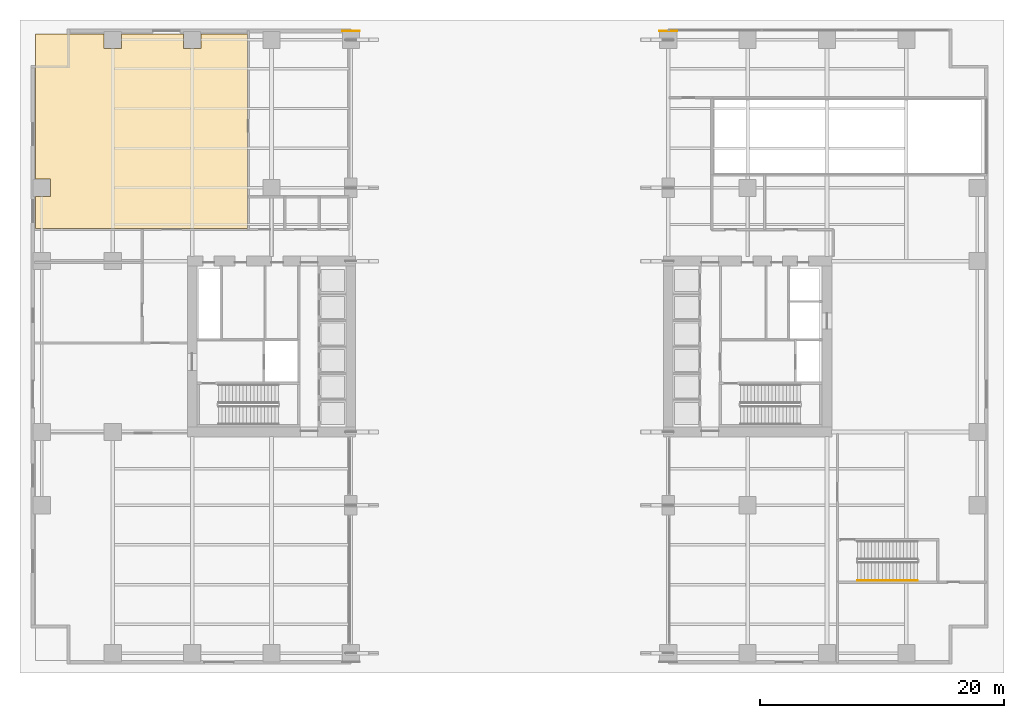
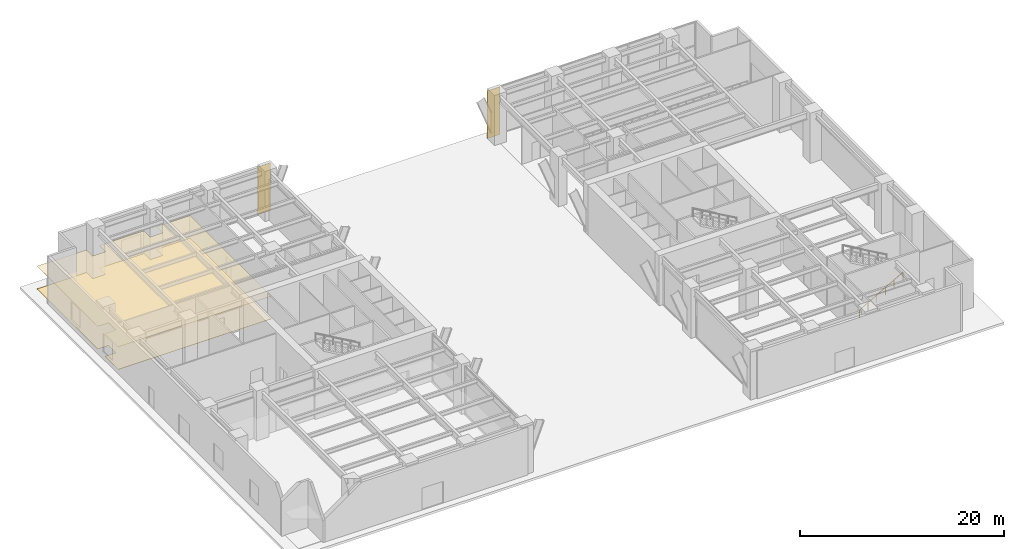
# One storey, part 18 of 20: 4 coverings, 1 railing.
"""IFC4 building model written with IfcOpenShell, lengths in metres."""

from ifc_helpers import new_model, si_unit, direction, frame, origin, origin_2d, place, context, subcontext, project, spatial, polyline, rectangle, circle, outline, extrude, material, layer, layer_set, type_object, element, save


model = new_model("IFC4")

# Units and contexts
model_context = context("Model", 3, precision=1e-05, world=origin(), true_north=direction((0.0, 1.0)))
body_context = subcontext(model_context, "Body", "Model", "MODEL_VIEW")
ifc_project = project(units=[si_unit("LENGTHUNIT", "METRE"), si_unit("AREAUNIT", "SQUARE_METRE"), si_unit("VOLUMEUNIT", "CUBIC_METRE"), si_unit("PLANEANGLEUNIT", "RADIAN"), si_unit("MASSUNIT", "GRAM", prefix="KILO")], contexts=[model_context])

# Site, building, storey
site_placement = place(None, origin())
site = spatial("IfcSite", under=ifc_project, at=site_placement, CompositionType="ELEMENT")
building_placement = place(site_placement, origin())
building = spatial("IfcBuilding", under=site, at=building_placement, Name="Putna Gate Headquarters", CompositionType="ELEMENT")
storey_placement = place(building_placement, origin())
storey = spatial("IfcBuildingStorey", under=building, at=storey_placement, Name="L00", CompositionType="ELEMENT", Elevation=0.0)

# Coverings
ifc_material_1 = material(Name="Perforated mineral-fibre acoustic ceiling tile")
ifc_layer_1 = layer(ifc_material_1, 0.0400390625)
ifc_layer_set_1 = layer_set([ifc_layer_1], Name="Perforated mineral-fibre acoustic ceiling tile")
covering_type_1 = type_object("IfcCoveringType", Name="COV-ACOUSTIC-CEILING", PredefinedType="CEILING", material=ifc_layer_set_1)
covering_1_placement = place(storey_placement, frame((0.0, 0.0, 2.7099609375)))
element("IfcCovering", 1, at=covering_1_placement, inside=storey, type_object=covering_type_1, Name="L00 Acoustic Ceiling Covering 2", PredefinedType="CEILING", context=body_context, shape_type="SweptSolid", body=[
    extrude(outline(polyline([(0.179931640625, 39.7080078125), (1.387939453125, 39.7080078125), (1.387939453125, 38.2919921875), (0.179931640625, 38.2919921875), (0.179931640625, 35.679931640625), (17.52001953125, 35.679931640625), (17.52001953125, 51.6201171875), (13.7080078125, 51.6201171875), (13.7080078125, 50.412109375), (12.2919921875, 50.412109375), (12.2919921875, 51.6201171875), (7.2080078125, 51.6201171875), (7.2080078125, 50.412109375), (5.7919921875, 50.412109375), (5.7919921875, 51.6201171875), (0.179931640625, 51.6201171875), (0.179931640625, 39.7080078125)])), origin(), (0.0, 0.0, 1.0), 0.0400390625),
])
ifc_material_2 = material(Name="Anodised architectural bronze rainscreen cladding", Category="aluminium")
ifc_layer_2 = layer(ifc_material_2, 0.0400390625)
ifc_layer_set_2 = layer_set([ifc_layer_2], Name="Anodised architectural bronze rainscreen cladding")
covering_type_2 = type_object("IfcCoveringType", Name="COV-BRONZE-CLADDING", PredefinedType="CLADDING", material=ifc_layer_set_2)
for number, where, z_axis, x_axis, name in (
    (2, (26.0, 51.8349609375, 0.0), (0.0, 0.0, 1.0), (1.0, 0.0, 0.0), "L00 Giant Arch Pier Bronze Cladding WN"),
    (3, (52.0, 51.8349609375, 0.0), (0.0, 0.0, 1.0), (1.0, 0.0, 0.0), "L00 Giant Arch Pier Bronze Cladding EN"),
):
    element("IfcCovering", number, at=place(storey_placement, frame(where, z_axis=z_axis, x_axis=x_axis)), inside=storey, type_object=covering_type_2, Name=name, PredefinedType="CLADDING", context=body_context, shape_type="SweptSolid", body=[
        extrude(rectangle(XDim=1.43994140625, YDim=0.0400390625, at=origin_2d()), origin(), (0.0, 0.0, 1.0), 5.719970703125),
    ])
ifc_material_3 = material(Name="Calcium-sulphate raised access floor finish")
ifc_layer_3 = layer(ifc_material_3, 0.030029296875)
ifc_layer_set_3 = layer_set([ifc_layer_3], Name="Calcium-sulphate raised access floor finish")
covering_type_3 = type_object("IfcCoveringType", Name="COV-RAISED-FLOORING", PredefinedType="FLOORING", material=ifc_layer_set_3)
covering_2_placement = place(storey_placement, origin())
element("IfcCovering", 4, at=covering_2_placement, inside=storey, type_object=covering_type_3, Name="L00 Raised Access Floor Covering 2", PredefinedType="FLOORING", context=body_context, shape_type="SweptSolid", body=[
    extrude(outline(polyline([(0.179931640625, 39.7080078125), (1.387939453125, 39.7080078125), (1.387939453125, 38.2919921875), (0.179931640625, 38.2919921875), (0.179931640625, 35.679931640625), (17.52001953125, 35.679931640625), (17.52001953125, 51.6201171875), (13.7080078125, 51.6201171875), (13.7080078125, 50.412109375), (12.2919921875, 50.412109375), (12.2919921875, 51.6201171875), (7.2080078125, 51.6201171875), (7.2080078125, 50.412109375), (5.7919921875, 50.412109375), (5.7919921875, 51.6201171875), (0.179931640625, 51.6201171875), (0.179931640625, 39.7080078125)])), origin(), (0.0, 0.0, 1.0), 0.030029296875),
])

# Railing
ifc_material_4 = material(Name="Brushed stainless steel handrail", Category="steel")
railing_type = type_object("IfcRailingType", Name="RAIL-STAIR-HAND-900", PredefinedType="HANDRAIL", material=ifc_material_4)
railing_placement = place(storey_placement, frame((67.5, 6.85009765625, 0.166748046875)))
element("IfcRailing", 5, at=railing_placement, inside=storey, type_object=railing_type, Name="L00 ST3 stair handrail 1", PredefinedType="HANDRAIL", context=body_context, shape_type="SweptSolid", body=[
    extrude(circle(Radius=0.02392578125, at=origin_2d()), frame((0.0, 0.0, 0.8759765625), z_axis=(0.867017142139, 0.0, 0.498278311025), x_axis=(0.0, 1.0, 0.0)), (0.0, 0.0, 1.0), 5.68603515625),
    extrude(circle(Radius=0.02099609375, at=origin_2d()), origin(), (0.0, 0.0, 1.0), 0.851806640625),
    extrude(circle(Radius=0.02099609375, at=origin_2d()), frame((0.986083984375, 0.0, 0.566650390625)), (0.0, 0.0, 1.0), 0.851806640625),
    extrude(circle(Radius=0.02099609375, at=origin_2d()), frame((1.971923828125, 0.0, 1.13330078125)), (0.0, 0.0, 1.0), 0.851806640625),
    extrude(circle(Radius=0.02099609375, at=origin_2d()), frame((2.9580078125, 0.0, 1.699951171875)), (0.0, 0.0, 1.0), 0.851806640625),
    extrude(circle(Radius=0.02099609375, at=origin_2d()), frame((3.94384765625, 0.0, 2.2666015625)), (0.0, 0.0, 1.0), 0.851806640625),
    extrude(circle(Radius=0.02099609375, at=origin_2d()), frame((4.929931640625, 0.0, 2.833251953125)), (0.0, 0.0, 1.0), 0.851806640625),
])

save(model, "model.ifc")
